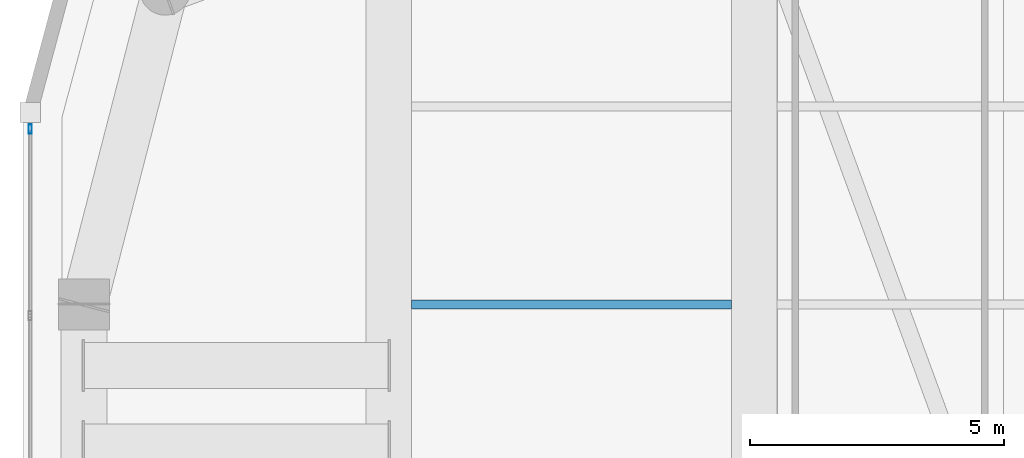
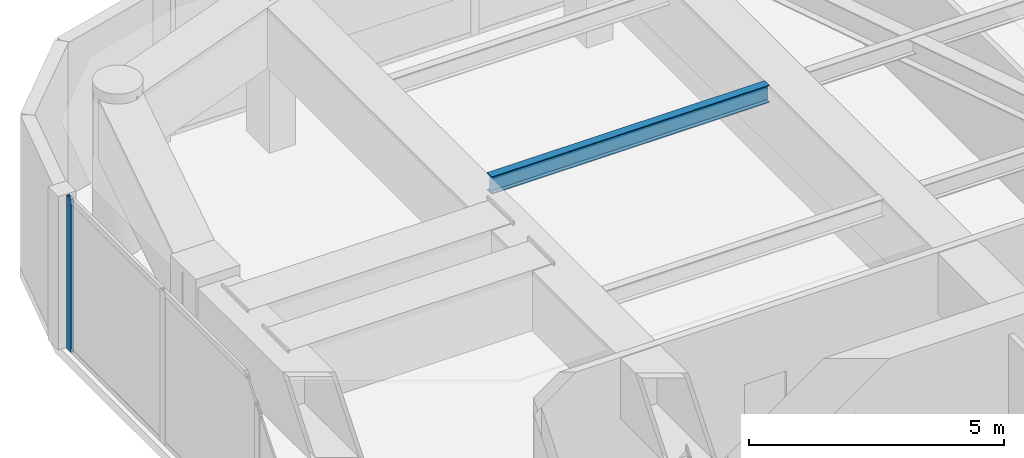
# One storey, part 8 of 21: 1 beam, 1 member, 1 element without a shape of its own.
"""IFC4 building model written with IfcOpenShell, lengths in metres."""

from ifc_helpers import new_model, si_unit, direction, frame, origin, origin_2d, place, context, subcontext, project, spatial, hollow_rectangle, i_section, extrude, material, layer, layer_set, material_profile, profile_set, type_object, element, aggregate, save


model = new_model("IFC4")

# Units and contexts
model_context = context("Model", 3, precision=1e-05, world=origin(), true_north=direction((0.0, 1.0)))
body_context = subcontext(model_context, "Body", "Model", "MODEL_VIEW")
ifc_project = project(units=[si_unit("LENGTHUNIT", "METRE"), si_unit("AREAUNIT", "SQUARE_METRE"), si_unit("VOLUMEUNIT", "CUBIC_METRE"), si_unit("PLANEANGLEUNIT", "RADIAN"), si_unit("MASSUNIT", "GRAM", prefix="KILO")], contexts=[model_context])

# Site, building, storey
site_placement = place(None, origin())
site = spatial("IfcSite", under=ifc_project, at=site_placement, CompositionType="ELEMENT")
building_placement = place(site_placement, origin())
building = spatial("IfcBuilding", under=site, at=building_placement, Name="Kiyonajd Concourse Tower", CompositionType="ELEMENT")
storey_placement = place(building_placement, frame((0.0, 0.0, 251.10009765625)))
storey = spatial("IfcBuildingStorey", under=building, at=storey_placement, Name="L63", CompositionType="ELEMENT", Elevation=251.10009765625)

# Beam
ifc_material_1 = material(Name="Steel ASTM A992 Grade 50", Category="steel")
ifc_material_profile_1 = material_profile(ifc_material_1, i_section(OverallWidth=0.180908203125, OverallDepth=0.4169921875, WebThickness=0.010986328125, FlangeThickness=0.018310546875, at=origin_2d()), Name="W410X85")
ifc_profile_set_1 = profile_set([ifc_material_profile_1], Name="Steel ASTM A992 Grade 50")
beam_type = type_object("IfcBeamType", Name="BM-JST-410", PredefinedType="JOIST", material=ifc_profile_set_1)
beam_placement = place(storey_placement, frame((32.85009765625, 53.39990234375, 3.471435546875), z_axis=(1.0, 0.0, 0.0), x_axis=(0.0, 1.0, 0.0)))
element("IfcBeam", 1, at=beam_placement, inside=storey, type_object=beam_type, Name="L63 Secondary Floor Joist", PredefinedType="JOIST", context=body_context, shape_type="SweptSolid", body=[
    extrude(i_section(OverallWidth=0.180908203125, OverallDepth=0.4169921875, WebThickness=0.010986328125, FlangeThickness=0.018310546875, at=origin_2d()), origin(), (0.0, 0.0, 1.0), 6.2998046875),
])

# Curtain wall, member
ifc_material_2 = material(Name="Thermally Broken Anodised Aluminium", Category="aluminium")
ifc_layer = layer(ifc_material_2, 0.179931640625)
ifc_layer_set = layer_set([ifc_layer], Name="Thermally Broken Anodised Aluminium")
curtain_wall_type = type_object("IfcCurtainWallType", Name="CW-SYS-04", PredefinedType="NOTDEFINED", material=ifc_layer_set)
curtain_wall_placement = place(storey_placement, origin())
curtain_wall = element("IfcCurtainWall", 2, at=curtain_wall_placement, inside=storey, type_object=curtain_wall_type, Name="L63 Unitised Curtain Wall CW4", PredefinedType="NOTDEFINED")
ifc_material_profile_2 = material_profile(ifc_material_2, hollow_rectangle(XDim=0.06494140625, YDim=0.179931640625, WallThickness=0.00390625, at=origin_2d()), Name="MULL-65x180")
ifc_profile_set_2 = profile_set([ifc_material_profile_2], Name="Thermally Broken Anodised Aluminium")
member_type = type_object("IfcMemberType", Name="MB-CW-MULL1", PredefinedType="MULLION", material=ifc_profile_set_2)
member_placement = place(storey_placement, frame((25.340087890625, 56.859130859375, 0.0), z_axis=(0.0, 0.0, 1.0), x_axis=(-1.0, 0.0, 0.0)))
member = element("IfcMember", 3, at=member_placement, type_object=member_type, Name="CW4 mullion 7", PredefinedType="MULLION", context=body_context, shape_type="SweptSolid", body=[
    extrude(hollow_rectangle(XDim=0.06494140625, YDim=0.179931640625, WallThickness=0.00390625, at=origin_2d()), origin(), (0.0, 0.0, 1.0), 3.679931640625),
])
aggregate(curtain_wall, [member])

save(model, "model.ifc")
